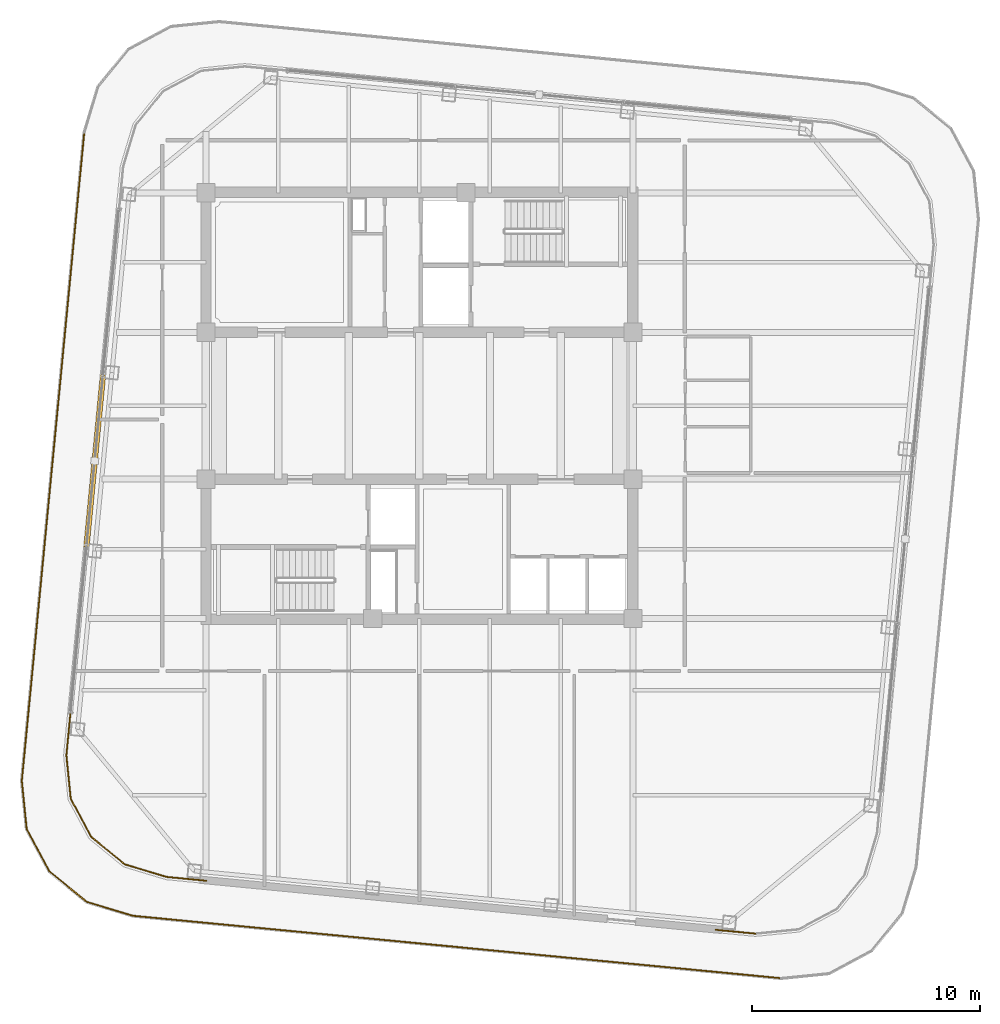
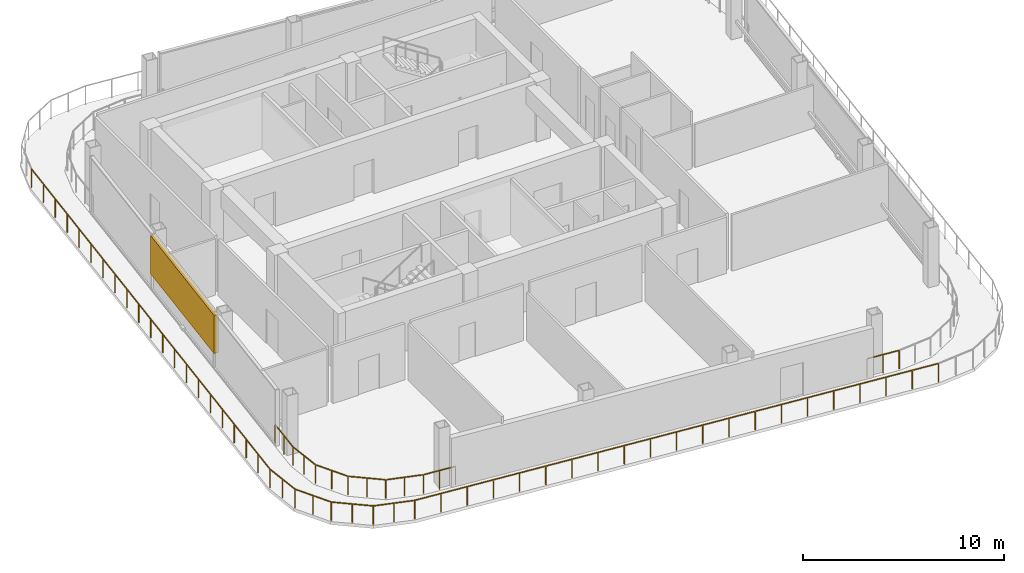
# One storey, part 19 of 23: 8 railings, 1 shading device.
"""IFC4 building model written with IfcOpenShell, lengths in metres."""

from ifc_helpers import new_model, si_unit, direction, frame, origin, origin_2d, place, context, subcontext, project, spatial, rectangle, extrude, material, type_object, element, save


model = new_model("IFC4")

# Units and contexts
model_context = context("Model", 3, precision=1e-05, world=origin(), true_north=direction((0.0, 1.0)))
body_context = subcontext(model_context, "Body", "Model", "MODEL_VIEW")
ifc_project = project(units=[si_unit("LENGTHUNIT", "METRE"), si_unit("AREAUNIT", "SQUARE_METRE"), si_unit("VOLUMEUNIT", "CUBIC_METRE"), si_unit("PLANEANGLEUNIT", "RADIAN"), si_unit("MASSUNIT", "GRAM", prefix="KILO")], contexts=[model_context])

# Site, building, storey
site_placement = place(None, origin())
site = spatial("IfcSite", under=ifc_project, at=site_placement, CompositionType="ELEMENT")
building_placement = place(site_placement, origin())
building = spatial("IfcBuilding", under=site, at=building_placement, Name="Qhalaya Broadcast Tower", CompositionType="ELEMENT")
storey_placement = place(building_placement, frame((0.0, 0.0, 276.949951171875)))
storey = spatial("IfcBuildingStorey", under=building, at=storey_placement, Name="L82", CompositionType="ELEMENT", Elevation=276.949951171875)

# Railings
ifc_material_1 = material(Name="Powder-Coated Galvanised Steel", Category="steel")
railing_type = type_object("IfcRailingType", Name="Terrace, Sky-Pool & Lookout Glass Balustrade 1150", PredefinedType="BALUSTRADE", material=ifc_material_1)
railing_1_placement = place(storey_placement, frame((15.876220703125, -24.5390625, 0.0)))
element("IfcRailing", 1, at=railing_1_placement, inside=storey, type_object=railing_type, Name="L82 Perimeter Safety Balustrade BAL-TER1-01", PredefinedType="BALUSTRADE", context=body_context, shape_type="SweptSolid", body=[
    extrude(rectangle(XDim=0.048095703125, YDim=0.048095703125, at=origin_2d()), frame((0.0, 0.0, 1.1259765625), z_axis=(-0.995395968782, 0.095848136823, 0.0), x_axis=(-0.095848136823, -0.995395968782, 0.0)), (0.0, 0.0, 1.0), 28.584228515625),
    extrude(rectangle(XDim=0.0419921875, YDim=0.0419921875, at=origin_2d()), origin(), (0.0, 0.0, 1.0), 1.099853515625),
    extrude(rectangle(XDim=0.0419921875, YDim=0.0419921875, at=origin_2d()), frame((-1.422607421875, 0.136962890625, 0.0)), (0.0, 0.0, 1.0), 1.099853515625),
    extrude(rectangle(XDim=0.0419921875, YDim=0.0419921875, at=origin_2d()), frame((-2.84521484375, 0.27392578125, 0.0)), (0.0, 0.0, 1.0), 1.099853515625),
    extrude(rectangle(XDim=0.0419921875, YDim=0.0419921875, at=origin_2d()), frame((-4.267822265625, 0.410888671875, 0.0)), (0.0, 0.0, 1.0), 1.099853515625),
    extrude(rectangle(XDim=0.0419921875, YDim=0.0419921875, at=origin_2d()), frame((-5.6904296875, 0.5478515625, 0.0)), (0.0, 0.0, 1.0), 1.099853515625),
    extrude(rectangle(XDim=0.0419921875, YDim=0.0419921875, at=origin_2d()), frame((-7.11328125, 0.68505859375, 0.0)), (0.0, 0.0, 1.0), 1.099853515625),
    extrude(rectangle(XDim=0.0419921875, YDim=0.0419921875, at=origin_2d()), frame((-8.535888671875, 0.822021484375, 0.0)), (0.0, 0.0, 1.0), 1.099853515625),
    extrude(rectangle(XDim=0.0419921875, YDim=0.0419921875, at=origin_2d()), frame((-9.95849609375, 0.958984375, 0.0)), (0.0, 0.0, 1.0), 1.099853515625),
    extrude(rectangle(XDim=0.0419921875, YDim=0.0419921875, at=origin_2d()), frame((-11.381103515625, 1.095947265625, 0.0)), (0.0, 0.0, 1.0), 1.099853515625),
    extrude(rectangle(XDim=0.0419921875, YDim=0.0419921875, at=origin_2d()), frame((-12.8037109375, 1.23291015625, 0.0)), (0.0, 0.0, 1.0), 1.099853515625),
    extrude(rectangle(XDim=0.0419921875, YDim=0.0419921875, at=origin_2d()), frame((-14.226318359375, 1.369873046875, 0.0)), (0.0, 0.0, 1.0), 1.099853515625),
    extrude(rectangle(XDim=0.0419921875, YDim=0.0419921875, at=origin_2d()), frame((-15.64892578125, 1.5068359375, 0.0)), (0.0, 0.0, 1.0), 1.099853515625),
    extrude(rectangle(XDim=0.0419921875, YDim=0.0419921875, at=origin_2d()), frame((-17.071533203125, 1.643798828125, 0.0)), (0.0, 0.0, 1.0), 1.099853515625),
    extrude(rectangle(XDim=0.0419921875, YDim=0.0419921875, at=origin_2d()), frame((-18.494140625, 1.78076171875, 0.0)), (0.0, 0.0, 1.0), 1.099853515625),
    extrude(rectangle(XDim=0.0419921875, YDim=0.0419921875, at=origin_2d()), frame((-19.916748046875, 1.917724609375, 0.0)), (0.0, 0.0, 1.0), 1.099853515625),
    extrude(rectangle(XDim=0.0419921875, YDim=0.0419921875, at=origin_2d()), frame((-21.33935546875, 2.0546875, 0.0)), (0.0, 0.0, 1.0), 1.099853515625),
    extrude(rectangle(XDim=0.0419921875, YDim=0.0419921875, at=origin_2d()), frame((-22.76220703125, 2.19189453125, 0.0)), (0.0, 0.0, 1.0), 1.099853515625),
    extrude(rectangle(XDim=0.0419921875, YDim=0.0419921875, at=origin_2d()), frame((-24.184814453125, 2.328857421875, 0.0)), (0.0, 0.0, 1.0), 1.099853515625),
    extrude(rectangle(XDim=0.0419921875, YDim=0.0419921875, at=origin_2d()), frame((-25.607421875, 2.4658203125, 0.0)), (0.0, 0.0, 1.0), 1.099853515625),
    extrude(rectangle(XDim=0.0419921875, YDim=0.0419921875, at=origin_2d()), frame((-27.030029296875, 2.602783203125, 0.0)), (0.0, 0.0, 1.0), 1.099853515625),
    extrude(rectangle(XDim=0.0419921875, YDim=0.0419921875, at=origin_2d()), frame((-28.45263671875, 2.73974609375, 0.0)), (0.0, 0.0, 1.0), 1.099853515625),
])
railing_2_placement = place(storey_placement, frame((-12.576416015625, -21.79931640625, 0.0)))
element("IfcRailing", 2, at=railing_2_placement, inside=storey, type_object=railing_type, Name="L82 Perimeter Safety Balustrade BAL-TER1-02", PredefinedType="BALUSTRADE", context=body_context, shape_type="SweptSolid", body=[
    extrude(rectangle(XDim=0.048095703125, YDim=0.048095703125, at=origin_2d()), frame((0.0, 0.0, 1.1259765625), z_axis=(-0.957578968467, 0.288170989429, 0.0), x_axis=(-0.288170989429, -0.957578968467, 0.0)), (0.0, 0.0, 1.0), 2.122314453125),
    extrude(rectangle(XDim=0.0419921875, YDim=0.0419921875, at=origin_2d()), origin(), (0.0, 0.0, 1.0), 1.099853515625),
    extrude(rectangle(XDim=0.0419921875, YDim=0.0419921875, at=origin_2d()), frame((-1.01611328125, 0.3056640625, 0.0)), (0.0, 0.0, 1.0), 1.099853515625),
    extrude(rectangle(XDim=0.0419921875, YDim=0.0419921875, at=origin_2d()), frame((-2.0322265625, 0.611572265625, 0.0)), (0.0, 0.0, 1.0), 1.099853515625),
])
railing_3_placement = place(storey_placement, frame((-14.608642578125, -21.187744140625, 0.0)))
element("IfcRailing", 3, at=railing_3_placement, inside=storey, type_object=railing_type, Name="L82 Perimeter Safety Balustrade BAL-TER1-03", PredefinedType="BALUSTRADE", context=body_context, shape_type="SweptSolid", body=[
    extrude(rectangle(XDim=0.048095703125, YDim=0.048095703125, at=origin_2d()), frame((0.0, 0.0, 1.1259765625), z_axis=(-0.7743944441, 0.632703125444, 0.0), x_axis=(-0.632703125444, -0.7743944441, 0.0)), (0.0, 0.0, 1.0), 2.1142578125),
    extrude(rectangle(XDim=0.0419921875, YDim=0.0419921875, at=origin_2d()), origin(), (0.0, 0.0, 1.0), 1.099853515625),
    extrude(rectangle(XDim=0.0419921875, YDim=0.0419921875, at=origin_2d()), frame((-0.818603515625, 0.6689453125, 0.0)), (0.0, 0.0, 1.0), 1.099853515625),
    extrude(rectangle(XDim=0.0419921875, YDim=0.0419921875, at=origin_2d()), frame((-1.63720703125, 1.337646484375, 0.0)), (0.0, 0.0, 1.0), 1.099853515625),
])
railing_4_placement = place(storey_placement, frame((-16.245849609375, -19.85009765625, 0.0)))
element("IfcRailing", 4, at=railing_4_placement, inside=storey, type_object=railing_type, Name="L82 Perimeter Safety Balustrade BAL-TER1-04", PredefinedType="BALUSTRADE", context=body_context, shape_type="SweptSolid", body=[
    extrude(rectangle(XDim=0.048095703125, YDim=0.048095703125, at=origin_2d()), frame((0.0, 0.0, 1.1259765625), z_axis=(-0.473259423957, 0.880923105404, 0.0), x_axis=(-0.880923105404, -0.473259423957, 0.0)), (0.0, 0.0, 1.0), 2.114013671875),
    extrude(rectangle(XDim=0.0419921875, YDim=0.0419921875, at=origin_2d()), origin(), (0.0, 0.0, 1.0), 1.099853515625),
    extrude(rectangle(XDim=0.0419921875, YDim=0.0419921875, at=origin_2d()), frame((-0.500244140625, 0.93115234375, 0.0)), (0.0, 0.0, 1.0), 1.099853515625),
    extrude(rectangle(XDim=0.0419921875, YDim=0.0419921875, at=origin_2d()), frame((-1.00048828125, 1.8623046875, 0.0)), (0.0, 0.0, 1.0), 1.099853515625),
])
railing_5_placement = place(storey_placement, frame((-17.246337890625, -17.98779296875, 0.0)))
element("IfcRailing", 5, at=railing_5_placement, inside=storey, type_object=railing_type, Name="L82 Perimeter Safety Balustrade BAL-TER1-05", PredefinedType="BALUSTRADE", context=body_context, shape_type="SweptSolid", body=[
    extrude(rectangle(XDim=0.048095703125, YDim=0.048095703125, at=origin_2d()), frame((0.0, 0.0, 1.1259765625), z_axis=(-0.100198481383, 0.99496746898, 0.0), x_axis=(-0.99496746898, -0.100198481383, 0.0)), (0.0, 0.0, 1.0), 2.122314453125),
    extrude(rectangle(XDim=0.0419921875, YDim=0.0419921875, at=origin_2d()), origin(), (0.0, 0.0, 1.0), 1.099853515625),
    extrude(rectangle(XDim=0.0419921875, YDim=0.0419921875, at=origin_2d()), frame((-0.1064453125, 1.0556640625, 0.0)), (0.0, 0.0, 1.0), 1.099853515625),
    extrude(rectangle(XDim=0.0419921875, YDim=0.0419921875, at=origin_2d()), frame((-0.212646484375, 2.111572265625, 0.0)), (0.0, 0.0, 1.0), 1.099853515625),
])
railing_6_placement = place(storey_placement, frame((-17.458984375, -15.876220703125, 0.0)))
element("IfcRailing", 6, at=railing_6_placement, inside=storey, type_object=railing_type, Name="L82 Perimeter Safety Balustrade BAL-TER1-06", PredefinedType="BALUSTRADE", context=body_context, shape_type="SweptSolid", body=[
    extrude(rectangle(XDim=0.048095703125, YDim=0.048095703125, at=origin_2d()), frame((0.0, 0.0, 1.1259765625), z_axis=(0.095839674187, 0.995396783625, 0.0), x_axis=(-0.995396783625, 0.095839674187, 0.0)), (0.0, 0.0, 1.0), 28.584228515625),
    extrude(rectangle(XDim=0.0419921875, YDim=0.0419921875, at=origin_2d()), origin(), (0.0, 0.0, 1.0), 1.099853515625),
    extrude(rectangle(XDim=0.0419921875, YDim=0.0419921875, at=origin_2d()), frame((0.136962890625, 1.422607421875, 0.0)), (0.0, 0.0, 1.0), 1.099853515625),
    extrude(rectangle(XDim=0.0419921875, YDim=0.0419921875, at=origin_2d()), frame((0.27392578125, 2.84521484375, 0.0)), (0.0, 0.0, 1.0), 1.099853515625),
    extrude(rectangle(XDim=0.0419921875, YDim=0.0419921875, at=origin_2d()), frame((0.410888671875, 4.267822265625, 0.0)), (0.0, 0.0, 1.0), 1.099853515625),
    extrude(rectangle(XDim=0.0419921875, YDim=0.0419921875, at=origin_2d()), frame((0.5478515625, 5.6904296875, 0.0)), (0.0, 0.0, 1.0), 1.099853515625),
    extrude(rectangle(XDim=0.0419921875, YDim=0.0419921875, at=origin_2d()), frame((0.684814453125, 7.11328125, 0.0)), (0.0, 0.0, 1.0), 1.099853515625),
    extrude(rectangle(XDim=0.0419921875, YDim=0.0419921875, at=origin_2d()), frame((0.82177734375, 8.535888671875, 0.0)), (0.0, 0.0, 1.0), 1.099853515625),
    extrude(rectangle(XDim=0.0419921875, YDim=0.0419921875, at=origin_2d()), frame((0.958740234375, 9.95849609375, 0.0)), (0.0, 0.0, 1.0), 1.099853515625),
    extrude(rectangle(XDim=0.0419921875, YDim=0.0419921875, at=origin_2d()), frame((1.095703125, 11.381103515625, 0.0)), (0.0, 0.0, 1.0), 1.099853515625),
    extrude(rectangle(XDim=0.0419921875, YDim=0.0419921875, at=origin_2d()), frame((1.232666015625, 12.8037109375, 0.0)), (0.0, 0.0, 1.0), 1.099853515625),
    extrude(rectangle(XDim=0.0419921875, YDim=0.0419921875, at=origin_2d()), frame((1.36962890625, 14.226318359375, 0.0)), (0.0, 0.0, 1.0), 1.099853515625),
    extrude(rectangle(XDim=0.0419921875, YDim=0.0419921875, at=origin_2d()), frame((1.5068359375, 15.64892578125, 0.0)), (0.0, 0.0, 1.0), 1.099853515625),
    extrude(rectangle(XDim=0.0419921875, YDim=0.0419921875, at=origin_2d()), frame((1.643798828125, 17.071533203125, 0.0)), (0.0, 0.0, 1.0), 1.099853515625),
    extrude(rectangle(XDim=0.0419921875, YDim=0.0419921875, at=origin_2d()), frame((1.78076171875, 18.494140625, 0.0)), (0.0, 0.0, 1.0), 1.099853515625),
    extrude(rectangle(XDim=0.0419921875, YDim=0.0419921875, at=origin_2d()), frame((1.917724609375, 19.916748046875, 0.0)), (0.0, 0.0, 1.0), 1.099853515625),
    extrude(rectangle(XDim=0.0419921875, YDim=0.0419921875, at=origin_2d()), frame((2.0546875, 21.33935546875, 0.0)), (0.0, 0.0, 1.0), 1.099853515625),
    extrude(rectangle(XDim=0.0419921875, YDim=0.0419921875, at=origin_2d()), frame((2.191650390625, 22.76220703125, 0.0)), (0.0, 0.0, 1.0), 1.099853515625),
    extrude(rectangle(XDim=0.0419921875, YDim=0.0419921875, at=origin_2d()), frame((2.32861328125, 24.184814453125, 0.0)), (0.0, 0.0, 1.0), 1.099853515625),
    extrude(rectangle(XDim=0.0419921875, YDim=0.0419921875, at=origin_2d()), frame((2.465576171875, 25.607421875, 0.0)), (0.0, 0.0, 1.0), 1.099853515625),
    extrude(rectangle(XDim=0.0419921875, YDim=0.0419921875, at=origin_2d()), frame((2.6025390625, 27.030029296875, 0.0)), (0.0, 0.0, 1.0), 1.099853515625),
    extrude(rectangle(XDim=0.0419921875, YDim=0.0419921875, at=origin_2d()), frame((2.739501953125, 28.45263671875, 0.0)), (0.0, 0.0, 1.0), 1.099853515625),
])
railing_7_placement = place(storey_placement, frame((14.754638671875, -22.58251953125, 0.0)))
element("IfcRailing", 7, at=railing_7_placement, inside=storey, type_object=railing_type, Name="L82 Rounded Corner Perimeter Guard 01", PredefinedType="BALUSTRADE", context=body_context, shape_type="SweptSolid", body=[
    extrude(rectangle(XDim=0.048095703125, YDim=0.048095703125, at=origin_2d()), frame((0.0, 0.0, 1.1259765625), z_axis=(-0.99540189436, 0.09578657894, 0.0), x_axis=(-0.09578657894, -0.99540189436, 0.0)), (0.0, 0.0, 1.0), 1.756103515625),
    extrude(rectangle(XDim=0.0419921875, YDim=0.0419921875, at=origin_2d()), origin(), (0.0, 0.0, 1.0), 1.099853515625),
    extrude(rectangle(XDim=0.0419921875, YDim=0.0419921875, at=origin_2d()), frame((-0.8740234375, 0.083984375, 0.0)), (0.0, 0.0, 1.0), 1.099853515625),
    extrude(rectangle(XDim=0.0419921875, YDim=0.0419921875, at=origin_2d()), frame((-1.748046875, 0.168212890625, 0.0)), (0.0, 0.0, 1.0), 1.099853515625),
])
railing_8_placement = place(storey_placement, frame((-9.35400390625, -20.260986328125, 0.0)))
element("IfcRailing", 8, at=railing_8_placement, inside=storey, type_object=railing_type, Name="L82 Rounded Corner Perimeter Guard 02", PredefinedType="BALUSTRADE", context=body_context, shape_type="SweptSolid", body=[
    extrude(rectangle(XDim=0.048095703125, YDim=0.048095703125, at=origin_2d()), frame((0.0, 0.0, 1.1259765625), z_axis=(-0.99540189436, 0.09578657894, 0.0), x_axis=(-0.09578657894, -0.99540189436, 0.0)), (0.0, 0.0, 1.0), 1.727294921875),
    extrude(rectangle(XDim=0.048095703125, YDim=0.048095703125, at=origin_2d()), frame((-1.775634765625, 0.176513671875, 1.1259765625), z_axis=(-0.957601447485, 0.288096282124, 0.0), x_axis=(-0.288096282124, -0.957601447485, 0.0)), (0.0, 0.0, 1.0), 1.857421875),
    extrude(rectangle(XDim=0.048095703125, YDim=0.048095703125, at=origin_2d()), frame((-3.6044921875, 0.73828125, 1.1259765625), z_axis=(-0.774357190213, 0.63274871945, 0.0), x_axis=(-0.63274871945, -0.774357190213, 0.0)), (0.0, 0.0, 1.0), 1.845703125),
    extrude(rectangle(XDim=0.048095703125, YDim=0.048095703125, at=origin_2d()), frame((-5.069580078125, 1.94970703125, 1.1259765625), z_axis=(-0.473342342286, 0.880878554058, 0.0), x_axis=(-0.880878554058, -0.473342342286, 0.0)), (0.0, 0.0, 1.0), 1.845458984375),
    extrude(rectangle(XDim=0.048095703125, YDim=0.048095703125, at=origin_2d()), frame((-5.959716796875, 3.629638671875, 1.1259765625), z_axis=(-0.100071682341, 0.994980230152, 0.0), x_axis=(-0.994980230152, -0.100071682341, 0.0)), (0.0, 0.0, 1.0), 1.857421875),
    extrude(rectangle(XDim=0.048095703125, YDim=0.048095703125, at=origin_2d()), frame((-6.145751953125, 5.53515625, 1.1259765625), z_axis=(0.095782687057, 0.995402268864, 0.0), x_axis=(-0.995402268864, 0.095782687057, 0.0)), (0.0, 0.0, 1.0), 2.08935546875),
    extrude(rectangle(XDim=0.0419921875, YDim=0.0419921875, at=origin_2d()), origin(), (0.0, 0.0, 1.0), 1.099853515625),
    extrude(rectangle(XDim=0.0419921875, YDim=0.0419921875, at=origin_2d()), frame((-0.8740234375, 0.083984375, 0.0)), (0.0, 0.0, 1.0), 1.099853515625),
    extrude(rectangle(XDim=0.0419921875, YDim=0.0419921875, at=origin_2d()), frame((-1.748046875, 0.168212890625, 0.0)), (0.0, 0.0, 1.0), 1.099853515625),
    extrude(rectangle(XDim=0.0419921875, YDim=0.0419921875, at=origin_2d()), frame((-2.6650390625, 0.444091796875, 0.0)), (0.0, 0.0, 1.0), 1.099853515625),
    extrude(rectangle(XDim=0.0419921875, YDim=0.0419921875, at=origin_2d()), frame((-3.58203125, 0.719970703125, 0.0)), (0.0, 0.0, 1.0), 1.099853515625),
    extrude(rectangle(XDim=0.0419921875, YDim=0.0419921875, at=origin_2d()), frame((-4.31884765625, 1.322265625, 0.0)), (0.0, 0.0, 1.0), 1.099853515625),
    extrude(rectangle(XDim=0.0419921875, YDim=0.0419921875, at=origin_2d()), frame((-5.055908203125, 1.92431640625, 0.0)), (0.0, 0.0, 1.0), 1.099853515625),
    extrude(rectangle(XDim=0.0419921875, YDim=0.0419921875, at=origin_2d()), frame((-5.50634765625, 2.7626953125, 0.0)), (0.0, 0.0, 1.0), 1.099853515625),
    extrude(rectangle(XDim=0.0419921875, YDim=0.0419921875, at=origin_2d()), frame((-5.956787109375, 3.600830078125, 0.0)), (0.0, 0.0, 1.0), 1.099853515625),
    extrude(rectangle(XDim=0.0419921875, YDim=0.0419921875, at=origin_2d()), frame((-6.052734375, 4.5537109375, 0.0)), (0.0, 0.0, 1.0), 1.099853515625),
    extrude(rectangle(XDim=0.0419921875, YDim=0.0419921875, at=origin_2d()), frame((-6.1484375, 5.50634765625, 0.0)), (0.0, 0.0, 1.0), 1.099853515625),
    extrude(rectangle(XDim=0.0419921875, YDim=0.0419921875, at=origin_2d()), frame((-6.046875, 6.560546875, 0.0)), (0.0, 0.0, 1.0), 1.099853515625),
    extrude(rectangle(XDim=0.0419921875, YDim=0.0419921875, at=origin_2d()), frame((-5.945556640625, 7.61474609375, 0.0)), (0.0, 0.0, 1.0), 1.099853515625),
])

# Shading device
ifc_material_2 = material(Name="Fired Architectural Terracotta", Category="masonry")
shading_device_type = type_object("IfcShadingDeviceType", Name="Terracotta Baguette Solar Screen Assembly TBS-01", PredefinedType="USERDEFINED", material=ifc_material_2)
shading_device_placement = place(storey_placement, frame((-14.2578125, -1.826171875, 0.95458984375), z_axis=(0.0, 0.0, 1.0), x_axis=(-0.09584575252, -0.995396198367, 0.0)))
element("IfcShadingDevice", 9, at=shading_device_placement, inside=storey, type_object=shading_device_type, Name="L82 Fired Terracotta Baguette Screen W", ObjectType="BAGUETTE", PredefinedType="USERDEFINED", context=body_context, shape_type="SweptSolid", body=[
    extrude(rectangle(XDim=7.60009765625, YDim=0.239990234375, at=origin_2d()), origin(), (0.0, 0.0, 1.0), 2.319091796875),
])

save(model, "model.ifc")
